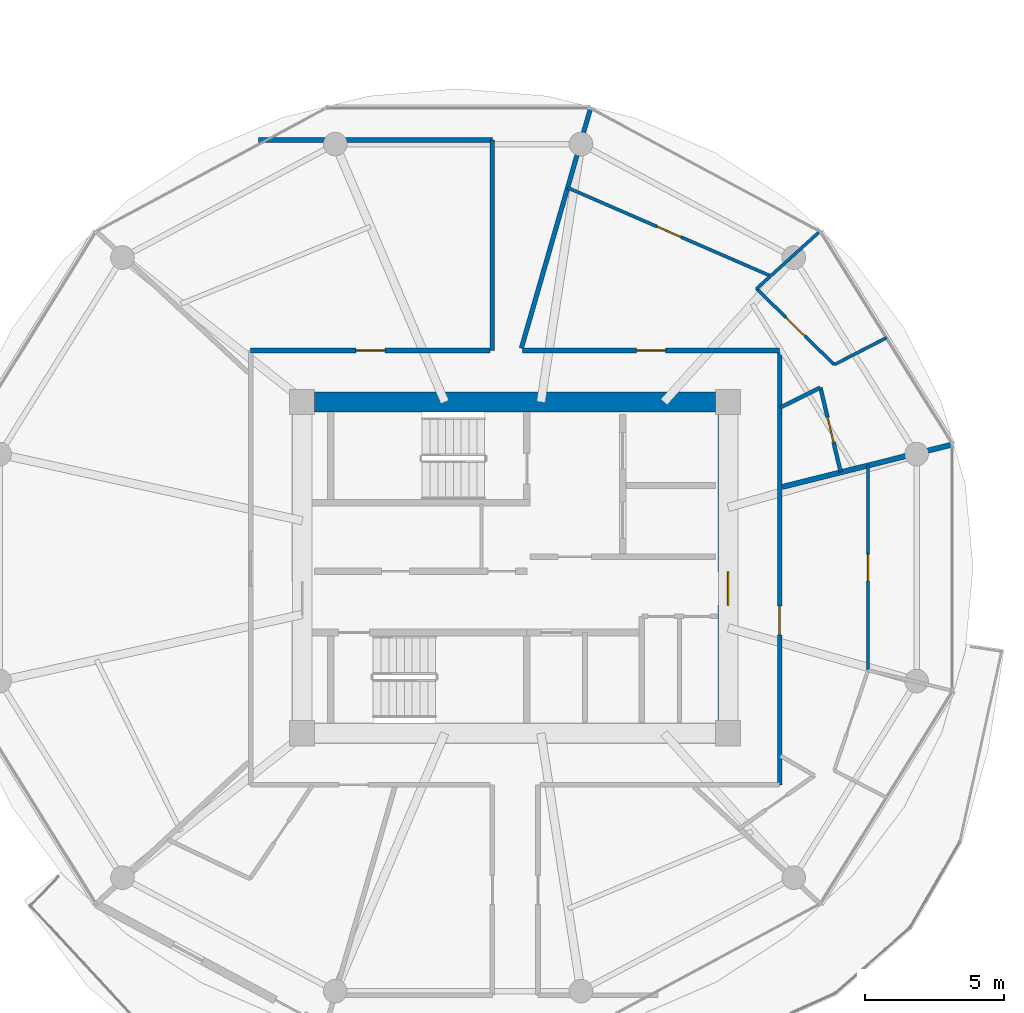
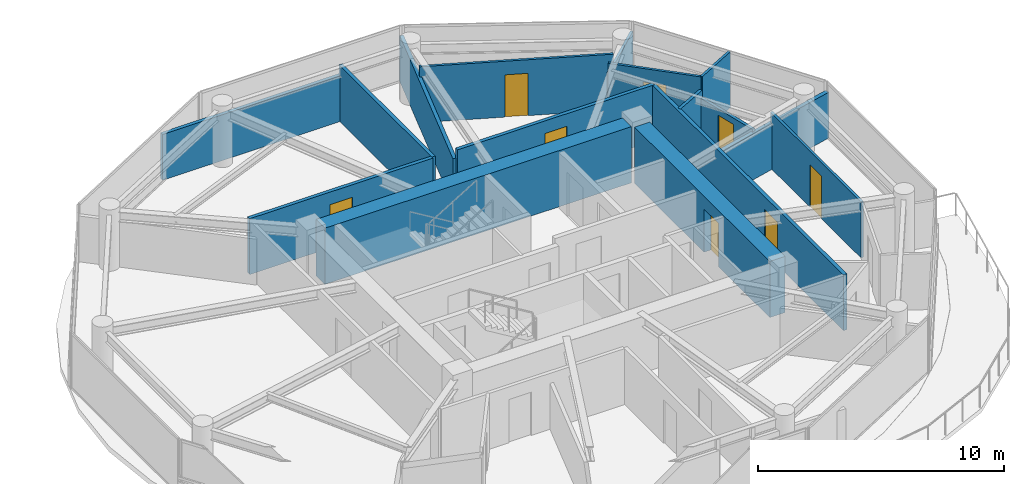
# One storey, part 17 of 22: 16 walls, 8 doors, 8 openings.
"""IFC4 building model written with IfcOpenShell, lengths in metres."""

import ifcopenshell
import ifcopenshell.guid

model = None  # the IFC model being written
_history = None  # IfcOwnerHistory: only IFC2X3 demands one
_inside = {}  # id of a spatial element -> (the spatial element, [elements in it])
_under = {}  # id of a project, library or spatial element -> (it, [spatial elements below it])
_declared = {}  # id of a project -> (the project, [libraries it declares])
_typed = {}  # id of a type object -> (the type object, [elements of that type])
_made_of = {}  # id of a material, layer set ... -> (it, [elements and type objects made of it])


def new_model(schema):
    """Start an empty IFC model of exactly this schema.

    Asked for "IFC4X3", IfcOpenShell would pick the latest addendum, in which some entities
    have other attributes; the version numbers below select the first issue.
    IFC2X3 requires an IfcOwnerHistory on every rooted entity: one is made here for all.
    """
    global model, _history
    if schema == "IFC4X3":
        model = ifcopenshell.file(schema_version=(4, 3, 0, 0))
    else:
        model = ifcopenshell.file(schema=schema)
    _inside.clear()
    _under.clear()
    _declared.clear()
    _typed.clear()
    _made_of.clear()
    _history = None
    if model.schema == "IFC2X3":
        org = make("IfcOrganization", Name="unknown")
        user = make(
            "IfcPersonAndOrganization",
            ThePerson=make("IfcPerson", FamilyName="unknown"),
            TheOrganization=org,
        )
        app = make(
            "IfcApplication",
            ApplicationDeveloper=org,
            Version="unknown",
            ApplicationFullName="unknown",
            ApplicationIdentifier="unknown",
        )
        _history = make(
            "IfcOwnerHistory",
            OwningUser=user,
            OwningApplication=app,
            ChangeAction="ADDED",
            CreationDate=0,
        )
    return model


def make(cls, **values):
    """One entity of the class cls with the attributes given. An attribute that is None is left unset."""
    return model.create_entity(
        cls, **{name: value for name, value in values.items() if value is not None}
    )


def rooted(cls, **values):
    """An entity with a GlobalId (a new one), such as an element, a storey or a relation."""
    return make(cls, GlobalId=ifcopenshell.guid.new(), OwnerHistory=_history, **values)


def si_unit(unit_type, name, prefix=None):
    """IfcSIUnit, for example si_unit("LENGTHUNIT", "METRE", prefix="MILLI")."""
    return make("IfcSIUnit", UnitType=unit_type, Prefix=prefix, Name=name)


def assignment(units):
    """IfcUnitAssignment: the units of a project."""
    return None if units is None else make("IfcUnitAssignment", Units=units)


def point(xyz):
    """IfcCartesianPoint."""
    return None if xyz is None else make("IfcCartesianPoint", Coordinates=xyz)


def direction(xyz):
    """IfcDirection."""
    return None if xyz is None else make("IfcDirection", DirectionRatios=xyz)


def frame(location, z_axis=None, x_axis=None):
    """IfcAxis2Placement3D, a coordinate frame: its origin and axes. An axis left out is left unset."""
    return make(
        "IfcAxis2Placement3D",
        Location=point(location),
        Axis=direction(z_axis),
        RefDirection=direction(x_axis),
    )


def frame_2d(location, x_axis=None):
    """IfcAxis2Placement2D, a coordinate frame in the plane: its origin and x axis."""
    return make(
        "IfcAxis2Placement2D", Location=point(location), RefDirection=direction(x_axis)
    )


def origin():
    """The frame at (0, 0, 0) with its axes left unset."""
    return frame((0.0, 0.0, 0.0))


def place(relative_to, where):
    """IfcLocalPlacement: puts the frame where relative to a parent placement (None: the world)."""
    return make(
        "IfcLocalPlacement", PlacementRelTo=relative_to, RelativePlacement=where
    )


def context(
    kind, dimensions, precision=None, world=None, true_north=None, identifier=None
):
    """IfcGeometricRepresentationContext, for example the 3D "Model" context."""
    return make(
        "IfcGeometricRepresentationContext",
        ContextIdentifier=identifier,
        ContextType=kind,
        CoordinateSpaceDimension=dimensions,
        Precision=precision,
        WorldCoordinateSystem=world,
        TrueNorth=true_north,
    )


def subcontext(parent, identifier, kind, view, scale=None):
    """IfcGeometricRepresentationSubContext, for example "Body" below "Model"."""
    return make(
        "IfcGeometricRepresentationSubContext",
        ContextIdentifier=identifier,
        ContextType=kind,
        ParentContext=parent,
        TargetScale=scale,
        TargetView=view,
    )


def project(units=None, contexts=None):
    """IfcProject with its units and contexts."""
    return rooted(
        "IfcProject",
        Name="project",
        RepresentationContexts=contexts,
        UnitsInContext=assignment(units),
    )


def spatial(cls, under=None, at=None, **own):
    """A site, building, storey or space (cls), placed at a placement, below another one or the project."""
    s = rooted(cls, ObjectPlacement=at, **own)
    if under is not None:
        _under.setdefault(under.id(), (under, []))[1].append(s)
    return s


def profile(cls, at=None, kind="AREA", **sizes):
    """A parametric profile (cls). Its sizes go by their IFC names, for example OverallWidth=200.0."""
    return make(cls, ProfileType=kind, Position=at, **sizes)


def rectangle(**sizes):
    """IfcRectangleProfileDef."""
    return profile("IfcRectangleProfileDef", **sizes)


def extrude(swept, where, along, depth):
    """IfcExtrudedAreaSolid: the profile swept, set in the frame where, extruded along a direction by depth."""
    return make(
        "IfcExtrudedAreaSolid",
        SweptArea=swept,
        Position=where,
        ExtrudedDirection=direction(along),
        Depth=depth,
    )


def shape(context_of_items, identifier, shape_type, items):
    """IfcShapeRepresentation: the items that make up one representation, for example the "Body"."""
    return make(
        "IfcShapeRepresentation",
        ContextOfItems=context_of_items,
        RepresentationIdentifier=identifier,
        RepresentationType=shape_type,
        Items=items,
    )


def source(mapping_origin, context_of_items, identifier, shape_type, items):
    """IfcRepresentationMap: a shape defined once, which mapped items show again and again."""
    return make(
        "IfcRepresentationMap",
        MappingOrigin=mapping_origin,
        MappedRepresentation=shape(context_of_items, identifier, shape_type, items),
    )


def transform(
    local_origin,
    x_axis=None,
    y_axis=None,
    z_axis=None,
    scale=None,
    scale2=None,
    scale3=None,
    uniform=True,
):
    """IfcCartesianTransformationOperator3D, or its non-uniform kind. x_axis, y_axis, z_axis: its Axis1, 2, 3."""
    if uniform:
        return make(
            "IfcCartesianTransformationOperator3D",
            Axis1=direction(x_axis),
            Axis2=direction(y_axis),
            LocalOrigin=point(local_origin),
            Scale=scale,
            Axis3=direction(z_axis),
        )
    return make(
        "IfcCartesianTransformationOperator3DnonUniform",
        Axis1=direction(x_axis),
        Axis2=direction(y_axis),
        LocalOrigin=point(local_origin),
        Scale=scale,
        Axis3=direction(z_axis),
        Scale2=scale2,
        Scale3=scale3,
    )


def mapped(mapping_source, mapping_target):
    """IfcMappedItem: shows the shape of a source again, moved by a transform."""
    return make(
        "IfcMappedItem", MappingSource=mapping_source, MappingTarget=mapping_target
    )


def material(Name=None, Category=None):
    """IfcMaterial."""
    return make("IfcMaterial", Name=Name, Category=Category)


def layer(
    of_material, thickness, ventilated=None, Name=None, Category=None, Priority=None
):
    """IfcMaterialLayer: one layer of a wall or slab, of a material (None: an air gap)."""
    return make(
        "IfcMaterialLayer",
        Material=of_material,
        LayerThickness=thickness,
        IsVentilated=ventilated,
        Name=Name,
        Category=Category,
        Priority=Priority,
    )


def layer_set(layers, Name=None):
    """IfcMaterialLayerSet."""
    return make("IfcMaterialLayerSet", MaterialLayers=layers, LayerSetName=Name)


def made_of(thing, what):
    """Note that an element or type object is made of a material, layer set ...; save() writes the relation."""
    if what is not None:
        _made_of.setdefault(what.id(), (what, []))[1].append(thing)
    return thing


def type_object(cls, material=None, **own):
    """A type object (cls), such as IfcWallType, which elements share."""
    return made_of(rooted(cls, **own), material)


def type_shapes(of_type, sources):
    """Give a type object the sources (RepresentationMaps) that its elements show as mapped items."""
    of_type.RepresentationMaps = sources


def element(
    cls,
    number,
    at=None,
    inside=None,
    cuts=None,
    type_object=None,
    material=None,
    context=None,
    identifier="Body",
    shape_type=None,
    held_by="IfcProductDefinitionShape",
    body=None,
    shapes=None,
    **own,
):
    """One element of the class cls, such as IfcWall. Its Tag is "e" and its number.

    at: its placement. inside: the storey or other place that contains it. cuts: it is an
    opening in that element (IfcRelVoidsElement). A single representation is given by context,
    identifier, shape_type and body (its items); several are given by shapes. held_by: the class
    of the entity that holds the representations. save() writes the other relations.
    """
    e = rooted(cls, Tag="e%d" % number, ObjectPlacement=at, **own)
    if body is not None:
        shapes = [shape(context, identifier, shape_type, body)]
    if shapes is not None:
        e.Representation = make(held_by, Representations=shapes)
    if inside is not None:
        _inside.setdefault(inside.id(), (inside, []))[1].append(e)
    if cuts is not None:
        rooted(
            "IfcRelVoidsElement", RelatingBuildingElement=cuts, RelatedOpeningElement=e
        )
    if type_object is not None:
        _typed.setdefault(type_object.id(), (type_object, []))[1].append(e)
    return made_of(e, material)


def fill(opening, filler):
    """IfcRelFillsElement: the door or window that sits in an opening."""
    return rooted(
        "IfcRelFillsElement",
        RelatingOpeningElement=opening,
        RelatedBuildingElement=filler,
    )


def aggregate(whole, parts):
    """IfcRelAggregates: a whole, such as a stair, and the parts it consists of."""
    return rooted("IfcRelAggregates", RelatingObject=whole, RelatedObjects=parts)


def save(model, path):
    """Write the relations noted so far, then the file.

    IfcRelAggregates (storeys below a building ...), IfcRelContainedInSpatialStructure (elements
    in a storey), IfcRelDefinesByType, IfcRelAssociatesMaterial and IfcRelDeclares: one each for
    every whole, place, type object, material and project.
    """
    for whole, parts in _under.values():
        aggregate(whole, parts)
    for where, things in _inside.values():
        rooted(
            "IfcRelContainedInSpatialStructure",
            RelatedElements=things,
            RelatingStructure=where,
        )
    for kind, things in _typed.values():
        rooted("IfcRelDefinesByType", RelatedObjects=things, RelatingType=kind)
    for what, things in _made_of.values():
        rooted("IfcRelAssociatesMaterial", RelatedObjects=things, RelatingMaterial=what)
    for by, libraries in _declared.values():
        rooted("IfcRelDeclares", RelatingContext=by, RelatedDefinitions=libraries)
    model.write(path)


model = new_model("IFC4")

# Units and contexts
model_context = context("Model", 3, precision=1e-05, world=origin(), true_north=direction((0.0, 1.0)))
body_context = subcontext(model_context, "Body", "Model", "MODEL_VIEW")
ifc_project = project(units=[si_unit("LENGTHUNIT", "METRE"), si_unit("AREAUNIT", "SQUARE_METRE"), si_unit("VOLUMEUNIT", "CUBIC_METRE"), si_unit("PLANEANGLEUNIT", "RADIAN"), si_unit("MASSUNIT", "GRAM", prefix="KILO")], contexts=[model_context])

# Site, building, storey
site_placement = place(None, origin())
site = spatial("IfcSite", under=ifc_project, at=site_placement, CompositionType="ELEMENT")
building_placement = place(site_placement, origin())
building = spatial("IfcBuilding", under=site, at=building_placement, Name="Norrkilde Senior Care Towers", CompositionType="ELEMENT")
storey_placement = place(building_placement, frame((0.0, 0.0, 87.10009765625)))
storey = spatial("IfcBuildingStorey", under=building, at=storey_placement, Name="L26", CompositionType="ELEMENT", Elevation=87.10009765625)

# Wall
ifc_material_1 = material(Name="Concrete C60/75", Category="concrete")
ifc_layer_1 = layer(ifc_material_1, 0.719970703125)
ifc_layer_set_1 = layer_set([ifc_layer_1], Name="Concrete C60/75")
wall_type_1 = type_object("IfcWallType", Name="Core Shear Wall Z2 720", PredefinedType="SHEAR", material=ifc_layer_set_1)
shared_shape_1 = source(origin(), body_context, "Body", "SweptSolid", [
    extrude(rectangle(XDim=14.39990234375, YDim=0.719970703125, at=frame_2d((7.199951171875, 0.0))), origin(), (0.0, 0.0, 1.0), 2.789794921875),
])
wall_1_placement = place(storey_placement, frame((20.800048828125, 5.949951171875, 0.0), z_axis=(0.0, 0.0, 1.0), x_axis=(1.0, 0.0, 0.0)))
element("IfcWall", 1, at=wall_1_placement, inside=storey, type_object=wall_type_1, Name="L26 Core E North Shear Wall", PredefinedType="SHEAR", context=body_context, shape_type="MappedRepresentation", body=[
    mapped(shared_shape_1, transform((0.0, 0.0, 0.0), x_axis=(1.0, 0.0, 0.0), y_axis=(0.0, 1.0, 0.0), z_axis=(0.0, 0.0, 1.0), scale=1.0)),
])

# Wall, opening, door
shared_shape_2 = source(origin(), body_context, "Body", "SweptSolid", [
    extrude(rectangle(XDim=11.0, YDim=0.719970703125, at=frame_2d((5.5, 0.0))), origin(), (0.0, 0.0, 1.0), 2.789794921875),
])
type_shapes(wall_type_1, [shared_shape_1, shared_shape_2])
wall_2_placement = place(storey_placement, frame((35.64990234375, 5.5, 0.0), z_axis=(0.0, 0.0, 1.0), x_axis=(0.0, -1.0, 0.0)))
wall_2 = element("IfcWall", 2, at=wall_2_placement, inside=storey, type_object=wall_type_1, Name="L26 Core E East Shear Wall", PredefinedType="SHEAR", context=body_context, shape_type="MappedRepresentation", body=[
    mapped(shared_shape_2, transform((0.0, 0.0, 0.0), x_axis=(1.0, 0.0, 0.0), y_axis=(0.0, 1.0, 0.0), z_axis=(0.0, 0.0, 1.0), scale=1.0)),
])
opening_1_placement = place(wall_2_placement, frame((5.64990234375, 0.0, 0.0)))
opening_1 = element("IfcOpeningElement", 3, at=opening_1_placement, cuts=wall_2, Name="Opening D-04", PredefinedType="OPENING", context=body_context, shape_type="SweptSolid", body=[
    extrude(rectangle(XDim=1.199951171875, YDim=2.14990234375, at=frame_2d((0.60009765625, 1.074951171875))), frame((0.0, 0.369873046875, 0.0), z_axis=(0.0, -1.0, 0.0), x_axis=(1.0, 0.0, 0.0)), (0.0, 0.0, 1.0), 0.739990234375),
])
ifc_material_2 = material(Name="Galvanised Painted Steel", Category="steel")
door_type_1 = type_object("IfcDoorType", Name="Firefighting Lobby Fire Door 1200x2150", OperationType="NOTDEFINED", PredefinedType="DOOR", material=ifc_material_2)
shared_shape_3 = source(origin(), body_context, "Body", "SweptSolid", [
    extrude(rectangle(XDim=1.199951171875, YDim=2.14990234375, at=frame_2d((0.60009765625, 1.074951171875))), frame((0.0, 0.02490234375, 0.0), z_axis=(0.0, -1.0, 0.0), x_axis=(1.0, 0.0, 0.0)), (0.0, 0.0, 1.0), 0.050048828125),
])
type_shapes(door_type_1, [shared_shape_3])
door_1_placement = place(opening_1_placement, frame((1.199951171875, 0.0, 0.0), z_axis=(0.0, 0.0, 1.0), x_axis=(-1.0, 0.0, 0.0)))
door_1 = element("IfcDoor", 4, at=door_1_placement, inside=storey, type_object=door_type_1, Name="L26 Core E East Portal Door", OperationType="SINGLE_SWING_RIGHT", OverallHeight=2.14990234375, OverallWidth=1.199951171875, PredefinedType="DOOR", context=body_context, shape_type="MappedRepresentation", body=[
    mapped(shared_shape_3, transform((0.0, 0.0, 0.0), x_axis=(1.0, 0.0, 0.0), y_axis=(0.0, 1.0, 0.0), z_axis=(0.0, 0.0, 1.0), scale=1.0)),
])
fill(opening_1, door_1)

ifc_material_3 = material(Name="Gypsum Acoustic Board")
ifc_layer_2 = layer(ifc_material_3, 0.1650390625)
ifc_layer_set_2 = layer_set([ifc_layer_2], Name="Gypsum Acoustic Board")
wall_type_2 = type_object("IfcWallType", Name="Corridor Rated Partition 165", PredefinedType="PARTITIONING", material=ifc_layer_set_2)
shared_shape_4 = source(origin(), body_context, "Body", "SweptSolid", [
    extrude(rectangle(XDim=15.60009765625, YDim=0.1650390625, at=frame_2d((7.800048828125, 0.0))), origin(), (0.0, 0.0, 1.0), 2.77490234375),
])
wall_3_placement = place(storey_placement, frame((37.5, 7.800048828125, 0.0), z_axis=(0.0, 0.0, 1.0), x_axis=(0.0, -1.0, 0.0)))
wall_3 = element("IfcWall", 5, at=wall_3_placement, inside=storey, type_object=wall_type_2, Name="WL-INT-L26-E-CRW-E-0", PredefinedType="PARTITIONING", context=body_context, shape_type="MappedRepresentation", body=[
    mapped(shared_shape_4, transform((0.0, 0.0, 0.0), x_axis=(1.0, 0.0, 0.0), y_axis=(0.0, 1.0, 0.0), z_axis=(0.0, 0.0, 1.0), scale=1.0)),
])
opening_2_placement = place(wall_3_placement, frame((9.177001953125, 0.0, 0.0)))
opening_2 = element("IfcOpeningElement", 6, at=opening_2_placement, cuts=wall_3, Name="Opening D-06", PredefinedType="OPENING", context=body_context, shape_type="SweptSolid", body=[
    extrude(rectangle(XDim=1.050048828125, YDim=2.14990234375, at=frame_2d((0.52490234375, 1.074951171875))), frame((0.0, 0.092529296875, 0.0), z_axis=(0.0, -1.0, 0.0), x_axis=(1.0, 0.0, 0.0)), (0.0, 0.0, 1.0), 0.18505859375),
])
ifc_material_4 = material(Name="Nordic Ash Timber", Category="wood")
door_type_2 = type_object("IfcDoorType", Name="Apartment Entrance Fire Door 1050x2150", OperationType="NOTDEFINED", PredefinedType="DOOR", material=ifc_material_4)
shared_shape_5 = source(origin(), body_context, "Body", "SweptSolid", [
    extrude(rectangle(XDim=1.050048828125, YDim=2.14990234375, at=frame_2d((0.52490234375, 1.074951171875))), frame((0.0, 0.02490234375, 0.0), z_axis=(0.0, -1.0, 0.0), x_axis=(1.0, 0.0, 0.0)), (0.0, 0.0, 1.0), 0.050048828125),
])
type_shapes(door_type_2, [shared_shape_5])
door_2_placement = place(opening_2_placement, frame((1.050048828125, 0.0, 0.0), z_axis=(0.0, 0.0, 1.0), x_axis=(-1.0, 0.0, 0.0)))
door_2 = element("IfcDoor", 7, at=door_2_placement, inside=storey, type_object=door_type_2, Name="Apartment 26C Entrance Door", OperationType="SINGLE_SWING_LEFT", OverallHeight=2.14990234375, OverallWidth=1.050048828125, PredefinedType="DOOR", context=body_context, shape_type="MappedRepresentation", body=[
    mapped(shared_shape_5, transform((0.0, 0.0, 0.0), x_axis=(1.0, 0.0, 0.0), y_axis=(0.0, 1.0, 0.0), z_axis=(0.0, 0.0, 1.0), scale=1.0)),
])
fill(opening_2, door_2)

shared_shape_6 = source(origin(), body_context, "Body", "SweptSolid", [
    extrude(rectangle(XDim=8.60009765625, YDim=0.1650390625, at=frame_2d((4.300048828125, 0.0))), origin(), (0.0, 0.0, 1.0), 2.77490234375),
])
wall_4_placement = place(storey_placement, frame((18.5, 7.800048828125, 0.0), z_axis=(0.0, 0.0, 1.0), x_axis=(1.0, 0.0, 0.0)))
wall_4 = element("IfcWall", 8, at=wall_4_placement, inside=storey, type_object=wall_type_2, Name="WL-INT-L26-E-CRW-N-0", PredefinedType="PARTITIONING", context=body_context, shape_type="MappedRepresentation", body=[
    mapped(shared_shape_6, transform((0.0, 0.0, 0.0), x_axis=(1.0, 0.0, 0.0), y_axis=(0.0, 1.0, 0.0), z_axis=(0.0, 0.0, 1.0), scale=1.0)),
])
opening_3_placement = place(wall_4_placement, frame((3.77490234375, 0.0, 0.0)))
opening_3 = element("IfcOpeningElement", 9, at=opening_3_placement, cuts=wall_4, Name="Opening D-06", PredefinedType="OPENING", context=body_context, shape_type="SweptSolid", body=[
    extrude(rectangle(XDim=1.050048828125, YDim=2.14990234375, at=frame_2d((0.52490234375, 1.074951171875))), frame((0.0, 0.092529296875, 0.0), z_axis=(0.0, -1.0, 0.0), x_axis=(1.0, 0.0, 0.0)), (0.0, 0.0, 1.0), 0.18505859375),
])
door_3_placement = place(opening_3_placement, frame((1.050048828125, 0.0, 0.0), z_axis=(0.0, 0.0, 1.0), x_axis=(-1.0, 0.0, 0.0)))
door_3 = element("IfcDoor", 10, at=door_3_placement, inside=storey, type_object=door_type_2, Name="L26 Reading Lounge NWL Door", OperationType="SINGLE_SWING_RIGHT", OverallHeight=2.14990234375, OverallWidth=1.050048828125, PredefinedType="DOOR", context=body_context, shape_type="MappedRepresentation", body=[
    mapped(shared_shape_5, transform((0.0, 0.0, 0.0), x_axis=(1.0, 0.0, 0.0), y_axis=(0.0, 1.0, 0.0), z_axis=(0.0, 0.0, 1.0), scale=1.0)),
])
fill(opening_3, door_3)

shared_shape_7 = source(origin(), body_context, "Body", "SweptSolid", [
    extrude(rectangle(XDim=9.234130859375, YDim=0.1650390625, at=frame_2d((4.6171875, 0.0))), origin(), (0.0, 0.0, 1.0), 2.77490234375),
])
wall_5_placement = place(storey_placement, frame((28.265869140625, 7.800048828125, 0.0), z_axis=(0.0, 0.0, 1.0), x_axis=(1.0, 0.0, 0.0)))
wall_5 = element("IfcWall", 11, at=wall_5_placement, inside=storey, type_object=wall_type_2, Name="WL-INT-L26-E-CRW-N-1", PredefinedType="PARTITIONING", context=body_context, shape_type="MappedRepresentation", body=[
    mapped(shared_shape_7, transform((0.0, 0.0, 0.0), x_axis=(1.0, 0.0, 0.0), y_axis=(0.0, 1.0, 0.0), z_axis=(0.0, 0.0, 1.0), scale=1.0)),
])
opening_4_placement = place(wall_5_placement, frame((4.092041015625, 0.0, 0.0)))
opening_4 = element("IfcOpeningElement", 12, at=opening_4_placement, cuts=wall_5, Name="Opening D-06", PredefinedType="OPENING", context=body_context, shape_type="SweptSolid", body=[
    extrude(rectangle(XDim=1.050048828125, YDim=2.14990234375, at=frame_2d((0.52490234375, 1.074951171875))), frame((0.0, 0.092529296875, 0.0), z_axis=(0.0, -1.0, 0.0), x_axis=(1.0, 0.0, 0.0)), (0.0, 0.0, 1.0), 0.18505859375),
])
door_4_placement = place(opening_4_placement, frame((1.050048828125, 0.0, 0.0), z_axis=(0.0, 0.0, 1.0), x_axis=(-1.0, 0.0, 0.0)))
door_4 = element("IfcDoor", 13, at=door_4_placement, inside=storey, type_object=door_type_2, Name="Apartment 26D Entrance Door", OperationType="SINGLE_SWING_LEFT", OverallHeight=2.14990234375, OverallWidth=1.050048828125, PredefinedType="DOOR", context=body_context, shape_type="MappedRepresentation", body=[
    mapped(shared_shape_5, transform((0.0, 0.0, 0.0), x_axis=(1.0, 0.0, 0.0), y_axis=(0.0, 1.0, 0.0), z_axis=(0.0, 0.0, 1.0), scale=1.0)),
])
fill(opening_4, door_4)

# Walls
shared_shape_8 = source(origin(), body_context, "Body", "SweptSolid", [
    extrude(rectangle(XDim=8.9892578125, YDim=0.1650390625, at=frame_2d((4.49462890625, 0.0))), origin(), (0.0, 0.0, 1.0), 2.27490234375),
])
wall_6_placement = place(storey_placement, frame((28.221923828125, 7.8798828125, 0.0), z_axis=(0.0, 0.0, 1.0), x_axis=(0.27702323008, 0.960863221274, 0.0)))
element("IfcWall", 14, at=wall_6_placement, inside=storey, type_object=wall_type_2, Name="WL-INT-L26-E-DEM-02-0", PredefinedType="PARTITIONING", context=body_context, shape_type="MappedRepresentation", body=[
    mapped(shared_shape_8, transform((0.0, 0.0, 0.0), x_axis=(1.0, 0.0, 0.0), y_axis=(0.0, 1.0, 0.0), z_axis=(0.0, 0.0, 1.0), scale=1.0)),
])
shared_shape_9 = source(origin(), body_context, "Body", "SweptSolid", [
    extrude(rectangle(XDim=7.56005859375, YDim=0.1650390625, at=frame_2d((3.780029296875, 0.0))), origin(), (0.0, 0.0, 1.0), 2.77490234375),
])
wall_7_placement = place(storey_placement, frame((27.179931640625, 7.800048828125, 0.0), z_axis=(0.0, 0.0, 1.0), x_axis=(0.0, 1.0, 0.0)))
element("IfcWall", 15, at=wall_7_placement, inside=storey, type_object=wall_type_2, Name="WL-INT-L26-E-PKW-NWL", PredefinedType="PARTITIONING", context=body_context, shape_type="MappedRepresentation", body=[
    mapped(shared_shape_9, transform((0.0, 0.0, 0.0), x_axis=(1.0, 0.0, 0.0), y_axis=(0.0, 1.0, 0.0), z_axis=(0.0, 0.0, 1.0), scale=1.0)),
])
shared_shape_10 = source(origin(), body_context, "Body", "SweptSolid", [
    extrude(rectangle(XDim=8.406982421875, YDim=0.1650390625, at=frame_2d((4.20361328125, 0.0))), origin(), (0.0, 0.0, 1.0), 2.27490234375),
])
type_shapes(wall_type_2, [shared_shape_4, shared_shape_6, shared_shape_7, shared_shape_8, shared_shape_9, shared_shape_10])
wall_8_placement = place(storey_placement, frame((18.77294921875, 15.360107421875, 0.0), z_axis=(0.0, 0.0, 1.0), x_axis=(1.0, 0.0, 0.0)))
element("IfcWall", 16, at=wall_8_placement, inside=storey, type_object=wall_type_2, Name="WL-INT-L26-E-PKH-NWL-0", PredefinedType="PARTITIONING", context=body_context, shape_type="MappedRepresentation", body=[
    mapped(shared_shape_10, transform((0.0, 0.0, 0.0), x_axis=(1.0, 0.0, 0.0), y_axis=(0.0, 1.0, 0.0), z_axis=(0.0, 0.0, 1.0), scale=1.0)),
])
ifc_layer_3 = layer(ifc_material_3, 0.18994140625)
ifc_layer_set_3 = layer_set([ifc_layer_3], Name="Gypsum Acoustic Board")
wall_type_3 = type_object("IfcWallType", Name="Unit Demising Acoustic Wall 190", PredefinedType="PARTITIONING", material=ifc_layer_set_3)
shared_shape_11 = source(origin(), body_context, "Body", "SweptSolid", [
    extrude(rectangle(XDim=6.33056640625, YDim=0.18994140625, at=frame_2d((3.165283203125, 0.0))), origin(), (0.0, 0.0, 1.0), 2.27490234375),
])
type_shapes(wall_type_3, [shared_shape_11])
wall_9_placement = place(storey_placement, frame((37.580078125, 2.89599609375, 0.0), z_axis=(0.0, 0.0, 1.0), x_axis=(0.97036440661, 0.241646267062, 0.0)))
element("IfcWall", 17, at=wall_9_placement, inside=storey, type_object=wall_type_3, Name="WL-INT-L26-E-DEM-00-0", PredefinedType="PARTITIONING", context=body_context, shape_type="MappedRepresentation", body=[
    mapped(shared_shape_11, transform((0.0, 0.0, 0.0), x_axis=(1.0, 0.0, 0.0), y_axis=(0.0, 1.0, 0.0), z_axis=(0.0, 0.0, 1.0), scale=1.0)),
])

# Wall, opening, door
ifc_layer_4 = layer(ifc_material_3, 0.114990234375)
ifc_layer_set_4 = layer_set([ifc_layer_4], Name="Gypsum Acoustic Board")
wall_type_4 = type_object("IfcWallType", Name="Internal Room Partition 115", PredefinedType="PARTITIONING", material=ifc_layer_set_4)
shared_shape_12 = source(origin(), body_context, "Body", "SweptSolid", [
    extrude(rectangle(XDim=7.37548828125, YDim=0.114990234375, at=frame_2d((3.687744140625, 0.0))), origin(), (0.0, 0.0, 1.0), 2.77490234375),
])
wall_10_placement = place(storey_placement, frame((40.677978515625, -3.687744140625, 0.0), z_axis=(0.0, 0.0, 1.0), x_axis=(0.0, 1.0, 0.0)))
wall_10 = element("IfcWall", 18, at=wall_10_placement, inside=storey, type_object=wall_type_4, Name="WL-INT-L26-E-UBC-10-1", PredefinedType="PARTITIONING", context=body_context, shape_type="MappedRepresentation", body=[
    mapped(shared_shape_12, transform((0.0, 0.0, 0.0), x_axis=(1.0, 0.0, 0.0), y_axis=(0.0, 1.0, 0.0), z_axis=(0.0, 0.0, 1.0), scale=1.0)),
])
opening_5_placement = place(wall_10_placement, frame((3.212646484375, 0.0, 0.0)))
opening_5 = element("IfcOpeningElement", 19, at=opening_5_placement, cuts=wall_10, Name="Opening D-07", PredefinedType="OPENING", context=body_context, shape_type="SweptSolid", body=[
    extrude(rectangle(XDim=0.949951171875, YDim=2.10009765625, at=frame_2d((0.47509765625, 1.050048828125))), frame((0.0, 0.0673828125, 0.0), z_axis=(0.0, -1.0, 0.0), x_axis=(1.0, 0.0, 0.0)), (0.0, 0.0, 1.0), 0.135009765625),
])
door_type_3 = type_object("IfcDoorType", Name="Internal Suite Bedroom Door 950x2100", OperationType="NOTDEFINED", PredefinedType="DOOR", material=ifc_material_4)
shared_shape_13 = source(origin(), body_context, "Body", "SweptSolid", [
    extrude(rectangle(XDim=0.949951171875, YDim=2.10009765625, at=frame_2d((0.47509765625, 1.050048828125))), frame((0.0, 0.02490234375, 0.0), z_axis=(0.0, -1.0, 0.0), x_axis=(1.0, 0.0, 0.0)), (0.0, 0.0, 1.0), 0.050048828125),
])
type_shapes(door_type_3, [shared_shape_13])
door_5_placement = place(opening_5_placement, origin())
door_5 = element("IfcDoor", 20, at=door_5_placement, inside=storey, type_object=door_type_3, Name="Apartment 26C Bedroom 1 Door", OperationType="SINGLE_SWING_RIGHT", OverallHeight=2.10009765625, OverallWidth=0.949951171875, PredefinedType="DOOR", context=body_context, shape_type="MappedRepresentation", body=[
    mapped(shared_shape_13, transform((0.0, 0.0, 0.0), x_axis=(1.0, 0.0, 0.0), y_axis=(0.0, 1.0, 0.0), z_axis=(0.0, 0.0, 1.0), scale=1.0)),
])
fill(opening_5, door_5)

# Wall
shared_shape_14 = source(origin(), body_context, "Body", "SweptSolid", [
    extrude(rectangle(XDim=2.1171875, YDim=0.114990234375, at=frame_2d((1.05859375, 0.0))), origin(), (0.0, 0.0, 1.0), 2.77490234375),
])
wall_11_placement = place(storey_placement, frame((39.459716796875, 7.288818359375, 0.0), z_axis=(0.0, 0.0, 1.0), x_axis=(0.888941834945, 0.45802010227, 0.0)))
element("IfcWall", 21, at=wall_11_placement, inside=storey, type_object=wall_type_4, Name="WL-INT-L26-E-UKTS-00", PredefinedType="PARTITIONING", context=body_context, shape_type="MappedRepresentation", body=[
    mapped(shared_shape_14, transform((0.0, 0.0, 0.0), x_axis=(1.0, 0.0, 0.0), y_axis=(0.0, 1.0, 0.0), z_axis=(0.0, 0.0, 1.0), scale=1.0)),
])

# Wall, opening, door
shared_shape_15 = source(origin(), body_context, "Body", "SweptSolid", [
    extrude(rectangle(XDim=7.937744140625, YDim=0.114990234375, at=frame_2d((3.96875, 0.0))), origin(), (0.0, 0.0, 1.0), 2.77490234375),
])
wall_12_placement = place(storey_placement, frame((37.164306640625, 10.4794921875, 0.0), z_axis=(0.0, 0.0, 1.0), x_axis=(-0.917052940979, 0.398765474235, 0.0)))
wall_12 = element("IfcWall", 22, at=wall_12_placement, inside=storey, type_object=wall_type_4, Name="WL-INT-L26-E-UBC-00-1", PredefinedType="PARTITIONING", context=body_context, shape_type="MappedRepresentation", body=[
    mapped(shared_shape_15, transform((0.0, 0.0, 0.0), x_axis=(1.0, 0.0, 0.0), y_axis=(0.0, 1.0, 0.0), z_axis=(0.0, 0.0, 1.0), scale=1.0)),
])
opening_6_placement = place(wall_12_placement, frame((3.493896484375, 0.0, 0.0)))
opening_6 = element("IfcOpeningElement", 23, at=opening_6_placement, cuts=wall_12, Name="Opening D-07", PredefinedType="OPENING", context=body_context, shape_type="SweptSolid", body=[
    extrude(rectangle(XDim=0.949951171875, YDim=2.10009765625, at=frame_2d((0.47509765625, 1.050048828125))), frame((0.0, 0.0673828125, 0.0), z_axis=(0.0, -1.0, 0.0), x_axis=(1.0, 0.0, 0.0)), (0.0, 0.0, 1.0), 0.135009765625),
])
door_6_placement = place(opening_6_placement, origin())
door_6 = element("IfcDoor", 24, at=door_6_placement, inside=storey, type_object=door_type_3, Name="Apartment 26D Bedroom 1 Door", OperationType="SINGLE_SWING_RIGHT", OverallHeight=2.10009765625, OverallWidth=0.949951171875, PredefinedType="DOOR", context=body_context, shape_type="MappedRepresentation", body=[
    mapped(shared_shape_13, transform((0.0, 0.0, 0.0), x_axis=(1.0, 0.0, 0.0), y_axis=(0.0, 1.0, 0.0), z_axis=(0.0, 0.0, 1.0), scale=1.0)),
])
fill(opening_6, door_6)

# Walls
shared_shape_16 = source(origin(), body_context, "Body", "SweptSolid", [
    extrude(rectangle(XDim=3.101806640625, YDim=0.114990234375, at=frame_2d((1.55078125, 0.0))), origin(), (0.0, 0.0, 1.0), 2.27490234375),
])
wall_13_placement = place(storey_placement, frame((36.661376953125, 10.009521484375, 0.0), z_axis=(0.0, 0.0, 1.0), x_axis=(0.741263481794, 0.671214161471, 0.0)))
element("IfcWall", 25, at=wall_13_placement, inside=storey, type_object=wall_type_4, Name="WL-INT-L26-E-UBR-00-1", PredefinedType="PARTITIONING", context=body_context, shape_type="MappedRepresentation", body=[
    mapped(shared_shape_16, transform((0.0, 0.0, 0.0), x_axis=(1.0, 0.0, 0.0), y_axis=(0.0, 1.0, 0.0), z_axis=(0.0, 0.0, 1.0), scale=1.0)),
])
ifc_layer_5 = layer(ifc_material_3, 0.139892578125)
ifc_layer_set_5 = layer_set([ifc_layer_5], Name="Gypsum Acoustic Board")
wall_type_5 = type_object("IfcWallType", Name="En-suite Wet Room Wall 140", PredefinedType="PARTITIONING", material=ifc_layer_set_5)
shared_shape_17 = source(origin(), body_context, "Body", "SweptSolid", [
    extrude(rectangle(XDim=1.600341796875, YDim=0.139892578125, at=frame_2d((0.80029296875, 0.0))), origin(), (0.0, 0.0, 1.0), 2.77490234375),
])
wall_14_placement = place(storey_placement, frame((37.530029296875, 5.753662109375, 0.0), z_axis=(0.0, 0.0, 1.0), x_axis=(0.895522919837, 0.445015393044, 0.0)))
element("IfcWall", 26, at=wall_14_placement, inside=storey, type_object=wall_type_5, Name="WL-INT-L26-E-UBTS-00", PredefinedType="PARTITIONING", context=body_context, shape_type="MappedRepresentation", body=[
    mapped(shared_shape_17, transform((0.0, 0.0, 0.0), x_axis=(1.0, 0.0, 0.0), y_axis=(0.0, 1.0, 0.0), z_axis=(0.0, 0.0, 1.0), scale=1.0)),
])

# Wall, opening, door
shared_shape_18 = source(origin(), body_context, "Body", "SweptSolid", [
    extrude(rectangle(XDim=3.90234375, YDim=0.114990234375, at=frame_2d((1.951171875, 0.0))), origin(), (0.0, 0.0, 1.0), 2.77490234375),
])
type_shapes(wall_type_4, [shared_shape_12, shared_shape_14, shared_shape_15, shared_shape_16, shared_shape_18])
wall_15_placement = place(storey_placement, frame((39.459716796875, 7.288818359375, 0.0), z_axis=(0.0, 0.0, 1.0), x_axis=(-0.714853061854, 0.699274695637, 0.0)))
wall_15 = element("IfcWall", 27, at=wall_15_placement, inside=storey, type_object=wall_type_4, Name="WL-INT-L26-E-UKTF-00", PredefinedType="PARTITIONING", context=body_context, shape_type="MappedRepresentation", body=[
    mapped(shared_shape_18, transform((0.0, 0.0, 0.0), x_axis=(1.0, 0.0, 0.0), y_axis=(0.0, 1.0, 0.0), z_axis=(0.0, 0.0, 1.0), scale=1.0)),
])
opening_7_placement = place(wall_15_placement, frame((1.476318359375, 0.0, 0.0)))
opening_7 = element("IfcOpeningElement", 28, at=opening_7_placement, cuts=wall_15, Name="Opening D-07", PredefinedType="OPENING", context=body_context, shape_type="SweptSolid", body=[
    extrude(rectangle(XDim=0.949951171875, YDim=2.10009765625, at=frame_2d((0.47509765625, 1.050048828125))), frame((0.0, 0.0673828125, 0.0), z_axis=(0.0, -1.0, 0.0), x_axis=(1.0, 0.0, 0.0)), (0.0, 0.0, 1.0), 0.135009765625),
])
door_7_placement = place(opening_7_placement, frame((0.949951171875, 0.0, 0.0), z_axis=(0.0, 0.0, 1.0), x_axis=(-1.0, 0.0, 0.0)))
door_7 = element("IfcDoor", 29, at=door_7_placement, inside=storey, type_object=door_type_3, Name="Apartment 26D Kitchen Door", OperationType="SINGLE_SWING_LEFT", OverallHeight=2.10009765625, OverallWidth=0.949951171875, PredefinedType="DOOR", context=body_context, shape_type="MappedRepresentation", body=[
    mapped(shared_shape_13, transform((0.0, 0.0, 0.0), x_axis=(1.0, 0.0, 0.0), y_axis=(0.0, 1.0, 0.0), z_axis=(0.0, 0.0, 1.0), scale=1.0)),
])
fill(opening_7, door_7)

shared_shape_19 = source(origin(), body_context, "Body", "SweptSolid", [
    extrude(rectangle(XDim=3.111572265625, YDim=0.139892578125, at=frame_2d((1.5556640625, 0.0))), origin(), (0.0, 0.0, 1.0), 2.414794921875),
])
type_shapes(wall_type_5, [shared_shape_17, shared_shape_19])
wall_16_placement = place(storey_placement, frame((38.963134765625, 6.4658203125, 0.0), z_axis=(0.0, 0.0, 1.0), x_axis=(0.233737944029, -0.972299631555, 0.0)))
wall_16 = element("IfcWall", 30, at=wall_16_placement, inside=storey, type_object=wall_type_5, Name="WL-INT-L26-E-UBTF-00", PredefinedType="PARTITIONING", context=body_context, shape_type="MappedRepresentation", body=[
    mapped(shared_shape_19, transform((0.0, 0.0, 0.0), x_axis=(1.0, 0.0, 0.0), y_axis=(0.0, 1.0, 0.0), z_axis=(0.0, 0.0, 1.0), scale=1.0)),
])
opening_8_placement = place(wall_16_placement, frame((1.095703125, 0.0, 0.0)))
opening_8 = element("IfcOpeningElement", 31, at=opening_8_placement, cuts=wall_16, Name="Opening D-08", PredefinedType="OPENING", context=body_context, shape_type="SweptSolid", body=[
    extrude(rectangle(XDim=0.919921875, YDim=2.10009765625, at=frame_2d((0.4599609375, 1.050048828125))), frame((0.0, 0.079833984375, 0.0), z_axis=(0.0, -1.0, 0.0), x_axis=(1.0, 0.0, 0.0)), (0.0, 0.0, 1.0), 0.159912109375),
])
door_type_4 = type_object("IfcDoorType", Name="Accessible Wet Room Door 920x2100", OperationType="NOTDEFINED", PredefinedType="DOOR", material=ifc_material_4)
shared_shape_20 = source(origin(), body_context, "Body", "SweptSolid", [
    extrude(rectangle(XDim=0.919921875, YDim=2.10009765625, at=frame_2d((0.4599609375, 1.050048828125))), frame((0.0, 0.02490234375, 0.0), z_axis=(0.0, -1.0, 0.0), x_axis=(1.0, 0.0, 0.0)), (0.0, 0.0, 1.0), 0.050048828125),
])
type_shapes(door_type_4, [shared_shape_20])
door_8_placement = place(opening_8_placement, origin())
door_8 = element("IfcDoor", 32, at=door_8_placement, inside=storey, type_object=door_type_4, Name="Apartment 26D Bathroom Door", OperationType="SINGLE_SWING_RIGHT", OverallHeight=2.10009765625, OverallWidth=0.919921875, PredefinedType="DOOR", context=body_context, shape_type="MappedRepresentation", body=[
    mapped(shared_shape_20, transform((0.0, 0.0, 0.0), x_axis=(1.0, 0.0, 0.0), y_axis=(0.0, 1.0, 0.0), z_axis=(0.0, 0.0, 1.0), scale=1.0)),
])
fill(opening_8, door_8)

save(model, "model.ifc")
